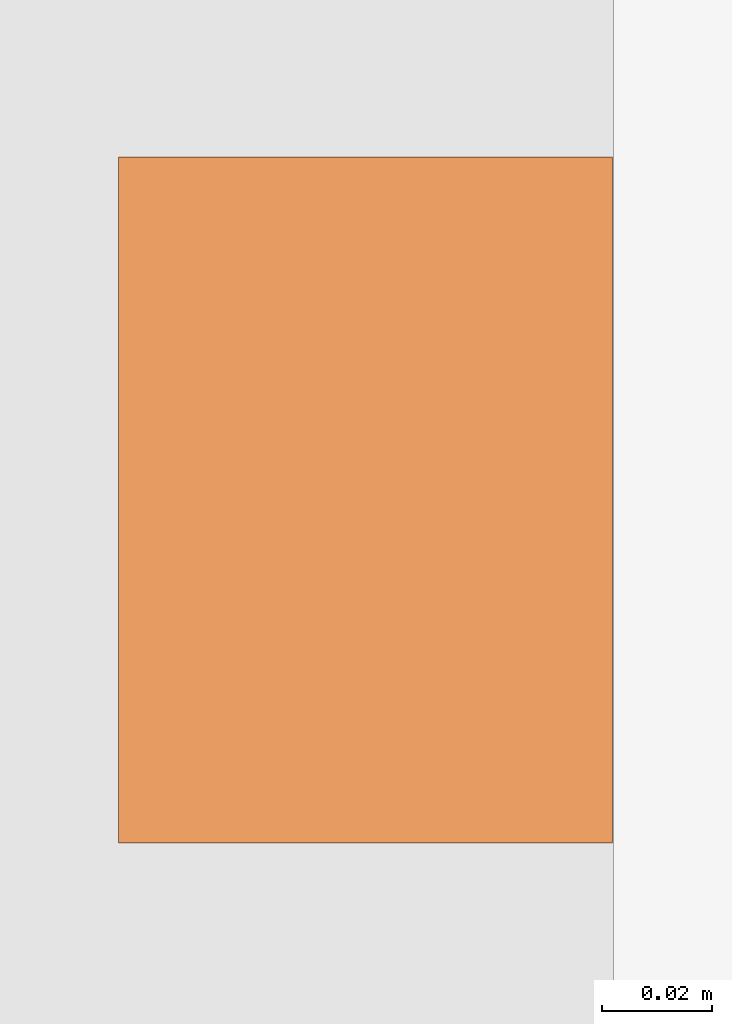
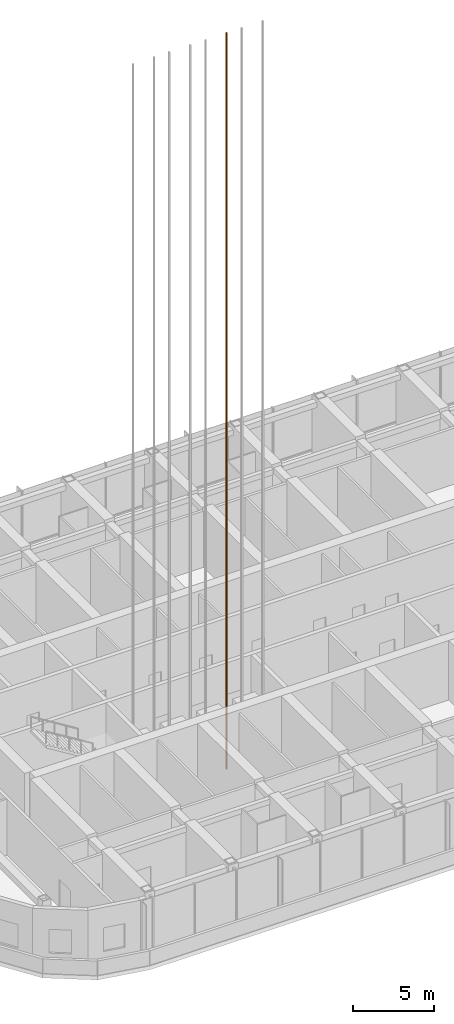
# One storey, part 33 of 35: 1 proxy.
"""IFC4 building model written with IfcOpenShell, lengths in metres."""

from ifc_helpers import new_model, si_unit, direction, frame, origin, origin_2d, place, context, subcontext, project, spatial, rectangle, extrude, material, element, save


model = new_model("IFC4")

# Units and contexts
model_context = context("Model", 3, precision=1e-05, world=origin(), true_north=direction((0.0, 1.0)))
body_context = subcontext(model_context, "Body", "Model", "MODEL_VIEW")
ifc_project = project(units=[si_unit("LENGTHUNIT", "METRE"), si_unit("AREAUNIT", "SQUARE_METRE"), si_unit("VOLUMEUNIT", "CUBIC_METRE"), si_unit("PLANEANGLEUNIT", "RADIAN"), si_unit("MASSUNIT", "GRAM", prefix="KILO")], contexts=[model_context])

# Site, building, storey
site_placement = place(None, origin())
site = spatial("IfcSite", under=ifc_project, at=site_placement, CompositionType="ELEMENT")
building_placement = place(site_placement, origin())
building = spatial("IfcBuilding", under=site, at=building_placement, Name="Orbita Commons", CompositionType="ELEMENT")
storey_placement = place(building_placement, frame((0.0, 0.0, 208.300048828125)))
storey = spatial("IfcBuildingStorey", under=building, at=storey_placement, Name="L51", CompositionType="ELEMENT", Elevation=208.300048828125)

# Proxy
ifc_material = material(Name="Machined steel guide rail", Category="steel")
placement = place(storey_placement, frame((32.5, 28.10009765625, 0.0), z_axis=(0.0, 0.0, 1.0), x_axis=(1.0, 0.0, 0.0)))
proxy_placement = place(placement, frame((0.7548828125, 0.0, -1.800048828125)))
element("IfcBuildingElementProxy", 1, at=proxy_placement, inside=storey, material=ifc_material, Name="P43 guide rail 2", ObjectType="GUIDE RAIL", PredefinedType="USERDEFINED", context=body_context, shape_type="SweptSolid", body=[
    extrude(rectangle(XDim=0.09, YDim=0.125, at=origin_2d()), origin(), (0.0, 0.0, 1.0), 55.800048828125),
])

save(model, "model.ifc")
